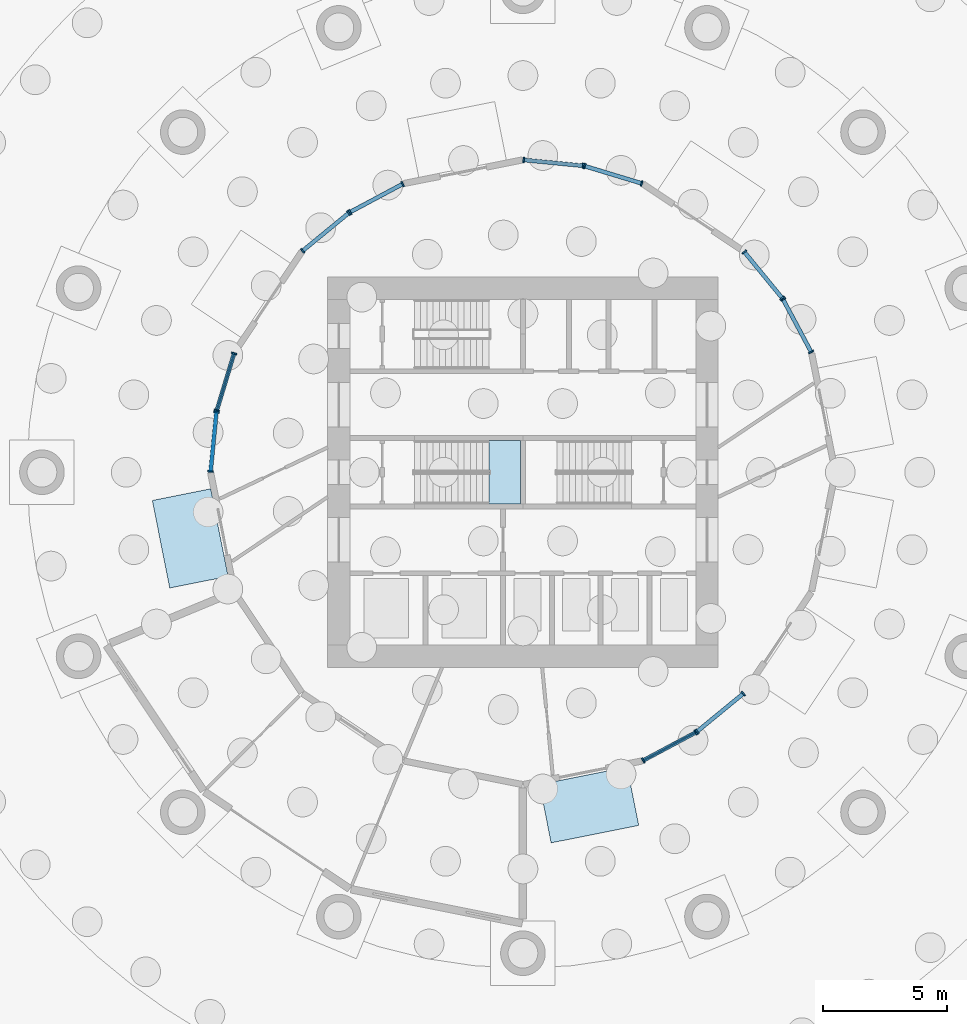
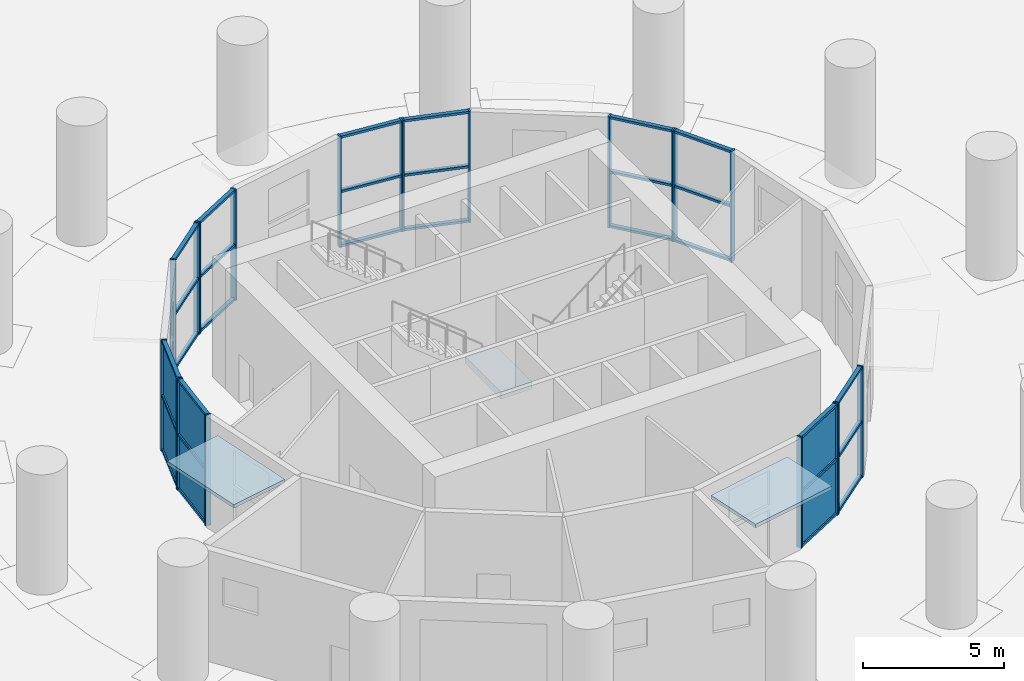
# One storey, part 3 of 10: 50 members, 8 plates, 1 slab, 11 elements without a shape of their own.
"""IFC4 building model written with IfcOpenShell, lengths in metres."""

from ifc_helpers import new_model, si_unit, direction, frame, origin, origin_2d, place, context, subcontext, project, spatial, polyline, rectangle, outline, extrude, material, layer, layer_set, material_profile, profile_set, type_object, element, aggregate, save


model = new_model("IFC4")

# Units and contexts
model_context = context("Model", 3, precision=1e-05, world=origin(), true_north=direction((0.0, 1.0)))
body_context = subcontext(model_context, "Body", "Model", "MODEL_VIEW")
ifc_project = project(units=[si_unit("LENGTHUNIT", "METRE"), si_unit("AREAUNIT", "SQUARE_METRE"), si_unit("VOLUMEUNIT", "CUBIC_METRE"), si_unit("PLANEANGLEUNIT", "RADIAN"), si_unit("MASSUNIT", "GRAM", prefix="KILO")], contexts=[model_context])

# Site, building, storey
site_placement = place(None, origin())
site = spatial("IfcSite", under=ifc_project, at=site_placement, CompositionType="ELEMENT")
building_placement = place(site_placement, origin())
building = spatial("IfcBuilding", under=site, at=building_placement, Name="Polderwave Tower", CompositionType="ELEMENT")
storey_placement = place(building_placement, origin())
storey = spatial("IfcBuildingStorey", under=building, at=storey_placement, Name="L00", CompositionType="ELEMENT", Elevation=0.0)

# Curtain wall, members
ifc_material_1 = material(Name="Aluminium 6063-T6 and glass", Category="aluminium")
curtain_wall_type = type_object("IfcCurtainWallType", Name="Entrance ring glazing wall", PredefinedType="NOTDEFINED", material=ifc_material_1)
curtain_wall_1_placement = place(storey_placement, origin())
curtain_wall_1 = element("IfcCurtainWall", 1, at=curtain_wall_1_placement, inside=storey, type_object=curtain_wall_type, Name="CW5 L00 01a", PredefinedType="NOTDEFINED")
ifc_material_2 = material(Name="Aluminium 6063-T6", Category="aluminium")
ifc_material_profile_1 = material_profile(ifc_material_2, rectangle(XDim=0.219970703125, YDim=0.06494140625, at=origin_2d()), Name="AL 65x220")
ifc_profile_set_1 = profile_set([ifc_material_profile_1], Name="Aluminium 6063-T6")
member_type_1 = type_object("IfcMemberType", Name="Entrance ring glazing mullion 65x220", PredefinedType="MULLION", material=ifc_profile_set_1)
member_1_placement = place(storey_placement, frame((11.625732421875, 4.8505859375, 0.0), z_axis=(0.0, 0.0, 1.0), x_axis=(-0.881949236041, -0.471344401735, 0.0)))
member_1 = element("IfcMember", 2, at=member_1_placement, type_object=member_type_1, Name="CW5 mullion 1", PredefinedType="MULLION", context=body_context, shape_type="SweptSolid", body=[
    extrude(rectangle(XDim=0.219970703125, YDim=0.06494140625, at=origin_2d()), origin(), (0.0, 0.0, 1.0), 4.800048828125),
])
member_2_placement = place(storey_placement, frame((10.4921875, 6.97119140625, 0.0), z_axis=(0.0, 0.0, 1.0), x_axis=(-0.881949236041, -0.471344401735, 0.0)))
member_2 = element("IfcMember", 3, at=member_2_placement, type_object=member_type_1, Name="CW5 mullion 2", PredefinedType="MULLION", context=body_context, shape_type="SweptSolid", body=[
    extrude(rectangle(XDim=0.219970703125, YDim=0.06494140625, at=origin_2d()), origin(), (0.0, 0.0, 1.0), 4.800048828125),
])

curtain_wall_2_placement = place(storey_placement, origin())
curtain_wall_2 = element("IfcCurtainWall", 4, at=curtain_wall_2_placement, inside=storey, type_object=curtain_wall_type, Name="CW5 L00 01b", PredefinedType="NOTDEFINED")
member_3_placement = place(storey_placement, frame((10.456298828125, 7.025146484375, 0.0), z_axis=(0.0, 0.0, 1.0), x_axis=(-0.773108987075, -0.63427320147, 0.0)))
member_3 = element("IfcMember", 5, at=member_3_placement, type_object=member_type_1, Name="CW5 mullion 1", PredefinedType="MULLION", context=body_context, shape_type="SweptSolid", body=[
    extrude(rectangle(XDim=0.219970703125, YDim=0.06494140625, at=origin_2d()), origin(), (0.0, 0.0, 1.0), 4.800048828125),
])
member_4_placement = place(storey_placement, frame((8.9306640625, 8.885009765625, 0.0), z_axis=(0.0, 0.0, 1.0), x_axis=(-0.773108987075, -0.63427320147, 0.0)))
member_4 = element("IfcMember", 6, at=member_4_placement, type_object=member_type_1, Name="CW5 mullion 2", PredefinedType="MULLION", context=body_context, shape_type="SweptSolid", body=[
    extrude(rectangle(XDim=0.219970703125, YDim=0.06494140625, at=origin_2d()), origin(), (0.0, 0.0, 1.0), 4.800048828125),
])

curtain_wall_3_placement = place(storey_placement, origin())
curtain_wall_3 = element("IfcCurtainWall", 7, at=curtain_wall_3_placement, inside=storey, type_object=curtain_wall_type, Name="CW5 L00 03a", PredefinedType="NOTDEFINED")
member_5_placement = place(storey_placement, frame((4.791015625, 11.650390625, 0.0), z_axis=(0.0, 0.0, 1.0), x_axis=(-0.290242922579, -0.95695300088, 0.0)))
member_5 = element("IfcMember", 8, at=member_5_placement, type_object=member_type_1, Name="CW5 mullion 1", PredefinedType="MULLION", context=body_context, shape_type="SweptSolid", body=[
    extrude(rectangle(XDim=0.219970703125, YDim=0.06494140625, at=origin_2d()), origin(), (0.0, 0.0, 1.0), 4.800048828125),
])
member_6_placement = place(storey_placement, frame((2.489013671875, 12.3486328125, 0.0), z_axis=(0.0, 0.0, 1.0), x_axis=(-0.290242922579, -0.95695300088, 0.0)))
member_6 = element("IfcMember", 9, at=member_6_placement, type_object=member_type_1, Name="CW5 mullion 2", PredefinedType="MULLION", context=body_context, shape_type="SweptSolid", body=[
    extrude(rectangle(XDim=0.219970703125, YDim=0.06494140625, at=origin_2d()), origin(), (0.0, 0.0, 1.0), 4.800048828125),
])

curtain_wall_4_placement = place(storey_placement, origin())
curtain_wall_4 = element("IfcCurtainWall", 10, at=curtain_wall_4_placement, inside=storey, type_object=curtain_wall_type, Name="CW5 L00 03b", PredefinedType="NOTDEFINED")
member_7_placement = place(storey_placement, frame((2.42578125, 12.361083984375, 0.0), z_axis=(0.0, 0.0, 1.0), x_axis=(-0.097980664838, -0.99518831852, 0.0)))
member_7 = element("IfcMember", 11, at=member_7_placement, type_object=member_type_1, Name="CW5 mullion 1", PredefinedType="MULLION", context=body_context, shape_type="SweptSolid", body=[
    extrude(rectangle(XDim=0.219970703125, YDim=0.06494140625, at=origin_2d()), origin(), (0.0, 0.0, 1.0), 4.800048828125),
])
member_8_placement = place(storey_placement, frame((0.0322265625, 12.5966796875, 0.0), z_axis=(0.0, 0.0, 1.0), x_axis=(-0.097980664838, -0.99518831852, 0.0)))
member_8 = element("IfcMember", 12, at=member_8_placement, type_object=member_type_1, Name="CW5 mullion 2", PredefinedType="MULLION", context=body_context, shape_type="SweptSolid", body=[
    extrude(rectangle(XDim=0.219970703125, YDim=0.06494140625, at=origin_2d()), origin(), (0.0, 0.0, 1.0), 4.800048828125),
])

curtain_wall_5_placement = place(storey_placement, origin())
curtain_wall_5 = element("IfcCurtainWall", 13, at=curtain_wall_5_placement, inside=storey, type_object=curtain_wall_type, Name="CW5 L00 05a", PredefinedType="NOTDEFINED")
member_9_placement = place(storey_placement, frame((-4.8505859375, 11.625732421875, 0.0), z_axis=(0.0, 0.0, 1.0), x_axis=(0.471344401735, -0.881949236041, 0.0)))
member_9 = element("IfcMember", 14, at=member_9_placement, type_object=member_type_1, Name="CW5 mullion 1", PredefinedType="MULLION", context=body_context, shape_type="SweptSolid", body=[
    extrude(rectangle(XDim=0.219970703125, YDim=0.06494140625, at=origin_2d()), origin(), (0.0, 0.0, 1.0), 4.800048828125),
])
member_10_placement = place(storey_placement, frame((-6.97119140625, 10.4921875, 0.0), z_axis=(0.0, 0.0, 1.0), x_axis=(0.471344401735, -0.881949236041, 0.0)))
member_10 = element("IfcMember", 15, at=member_10_placement, type_object=member_type_1, Name="CW5 mullion 2", PredefinedType="MULLION", context=body_context, shape_type="SweptSolid", body=[
    extrude(rectangle(XDim=0.219970703125, YDim=0.06494140625, at=origin_2d()), origin(), (0.0, 0.0, 1.0), 4.800048828125),
])

curtain_wall_6_placement = place(storey_placement, origin())
curtain_wall_6 = element("IfcCurtainWall", 16, at=curtain_wall_6_placement, inside=storey, type_object=curtain_wall_type, Name="CW5 L00 05b", PredefinedType="NOTDEFINED")
member_11_placement = place(storey_placement, frame((-7.025146484375, 10.456298828125, 0.0), z_axis=(0.0, 0.0, 1.0), x_axis=(0.63427320147, -0.773108987075, 0.0)))
member_11 = element("IfcMember", 17, at=member_11_placement, type_object=member_type_1, Name="CW5 mullion 1", PredefinedType="MULLION", context=body_context, shape_type="SweptSolid", body=[
    extrude(rectangle(XDim=0.219970703125, YDim=0.06494140625, at=origin_2d()), origin(), (0.0, 0.0, 1.0), 4.800048828125),
])
member_12_placement = place(storey_placement, frame((-8.885009765625, 8.9306640625, 0.0), z_axis=(0.0, 0.0, 1.0), x_axis=(0.63427320147, -0.773108987075, 0.0)))
member_12 = element("IfcMember", 18, at=member_12_placement, type_object=member_type_1, Name="CW5 mullion 2", PredefinedType="MULLION", context=body_context, shape_type="SweptSolid", body=[
    extrude(rectangle(XDim=0.219970703125, YDim=0.06494140625, at=origin_2d()), origin(), (0.0, 0.0, 1.0), 4.800048828125),
])

curtain_wall_7_placement = place(storey_placement, origin())
curtain_wall_7 = element("IfcCurtainWall", 19, at=curtain_wall_7_placement, inside=storey, type_object=curtain_wall_type, Name="CW5 L00 07a", PredefinedType="NOTDEFINED")
member_13_placement = place(storey_placement, frame((-11.650390625, 4.791015625, 0.0), z_axis=(0.0, 0.0, 1.0), x_axis=(0.95695300088, -0.290242922579, 0.0)))
member_13 = element("IfcMember", 20, at=member_13_placement, type_object=member_type_1, Name="CW5 mullion 1", PredefinedType="MULLION", context=body_context, shape_type="SweptSolid", body=[
    extrude(rectangle(XDim=0.219970703125, YDim=0.06494140625, at=origin_2d()), origin(), (0.0, 0.0, 1.0), 4.800048828125),
])
member_14_placement = place(storey_placement, frame((-12.3486328125, 2.489013671875, 0.0), z_axis=(0.0, 0.0, 1.0), x_axis=(0.95695300088, -0.290242922579, 0.0)))
member_14 = element("IfcMember", 21, at=member_14_placement, type_object=member_type_1, Name="CW5 mullion 2", PredefinedType="MULLION", context=body_context, shape_type="SweptSolid", body=[
    extrude(rectangle(XDim=0.219970703125, YDim=0.06494140625, at=origin_2d()), origin(), (0.0, 0.0, 1.0), 4.800048828125),
])

curtain_wall_8_placement = place(storey_placement, origin())
curtain_wall_8 = element("IfcCurtainWall", 22, at=curtain_wall_8_placement, inside=storey, type_object=curtain_wall_type, Name="CW5 L00 07b", PredefinedType="NOTDEFINED")
member_15_placement = place(storey_placement, frame((-12.361083984375, 2.42578125, 0.0), z_axis=(0.0, 0.0, 1.0), x_axis=(0.99518831852, -0.097980664838, 0.0)))
member_15 = element("IfcMember", 23, at=member_15_placement, type_object=member_type_1, Name="CW5 mullion 1", PredefinedType="MULLION", context=body_context, shape_type="SweptSolid", body=[
    extrude(rectangle(XDim=0.219970703125, YDim=0.06494140625, at=origin_2d()), origin(), (0.0, 0.0, 1.0), 4.800048828125),
])
member_16_placement = place(storey_placement, frame((-12.5966796875, 0.0322265625, 0.0), z_axis=(0.0, 0.0, 1.0), x_axis=(0.99518831852, -0.097980664838, 0.0)))
member_16 = element("IfcMember", 24, at=member_16_placement, type_object=member_type_1, Name="CW5 mullion 2", PredefinedType="MULLION", context=body_context, shape_type="SweptSolid", body=[
    extrude(rectangle(XDim=0.219970703125, YDim=0.06494140625, at=origin_2d()), origin(), (0.0, 0.0, 1.0), 4.800048828125),
])

curtain_wall_9_placement = place(storey_placement, origin())
curtain_wall_9 = element("IfcCurtainWall", 25, at=curtain_wall_9_placement, inside=storey, type_object=curtain_wall_type, Name="CW5 L00 13a", PredefinedType="NOTDEFINED")
member_17_placement = place(storey_placement, frame((4.8505859375, -11.625732421875, 0.0), z_axis=(0.0, 0.0, 1.0), x_axis=(-0.471344401735, 0.881949236041, 0.0)))
member_17 = element("IfcMember", 26, at=member_17_placement, type_object=member_type_1, Name="CW5 mullion 1", PredefinedType="MULLION", context=body_context, shape_type="SweptSolid", body=[
    extrude(rectangle(XDim=0.219970703125, YDim=0.06494140625, at=origin_2d()), origin(), (0.0, 0.0, 1.0), 4.800048828125),
])
member_18_placement = place(storey_placement, frame((6.97119140625, -10.4921875, 0.0), z_axis=(0.0, 0.0, 1.0), x_axis=(-0.471344401735, 0.881949236041, 0.0)))
member_18 = element("IfcMember", 27, at=member_18_placement, type_object=member_type_1, Name="CW5 mullion 2", PredefinedType="MULLION", context=body_context, shape_type="SweptSolid", body=[
    extrude(rectangle(XDim=0.219970703125, YDim=0.06494140625, at=origin_2d()), origin(), (0.0, 0.0, 1.0), 4.800048828125),
])

curtain_wall_10_placement = place(storey_placement, origin())
curtain_wall_10 = element("IfcCurtainWall", 28, at=curtain_wall_10_placement, inside=storey, type_object=curtain_wall_type, Name="CW5 L00 13b", PredefinedType="NOTDEFINED")
member_19_placement = place(storey_placement, frame((7.025146484375, -10.456298828125, 0.0), z_axis=(0.0, 0.0, 1.0), x_axis=(-0.63427320147, 0.773108987075, 0.0)))
member_19 = element("IfcMember", 29, at=member_19_placement, type_object=member_type_1, Name="CW5 mullion 1", PredefinedType="MULLION", context=body_context, shape_type="SweptSolid", body=[
    extrude(rectangle(XDim=0.219970703125, YDim=0.06494140625, at=origin_2d()), origin(), (0.0, 0.0, 1.0), 4.800048828125),
])
member_20_placement = place(storey_placement, frame((8.885009765625, -8.9306640625, 0.0), z_axis=(0.0, 0.0, 1.0), x_axis=(-0.63427320147, 0.773108987075, 0.0)))
member_20 = element("IfcMember", 30, at=member_20_placement, type_object=member_type_1, Name="CW5 mullion 2", PredefinedType="MULLION", context=body_context, shape_type="SweptSolid", body=[
    extrude(rectangle(XDim=0.219970703125, YDim=0.06494140625, at=origin_2d()), origin(), (0.0, 0.0, 1.0), 4.800048828125),
])

# Member
ifc_material_profile_2 = material_profile(ifc_material_2, rectangle(XDim=0.159912109375, YDim=0.10009765625, at=origin_2d()), Name="AL 100x160")
ifc_profile_set_2 = profile_set([ifc_material_profile_2], Name="Aluminium 6063-T6")
member_type_2 = type_object("IfcMemberType", Name="Entrance ring glazing transom 100x160", PredefinedType="USERDEFINED", material=ifc_profile_set_2)
member_21_placement = place(storey_placement, frame((11.6103515625, 4.87939453125, 0.050048828125), z_axis=(-0.471384268575, 0.881927928654, 0.0), x_axis=(-0.881927928654, -0.471384268575, 0.0)))
member_21 = element("IfcMember", 31, at=member_21_placement, type_object=member_type_2, Name="CW5 transom 1", ObjectType="TRANSOM", PredefinedType="USERDEFINED", context=body_context, shape_type="SweptSolid", body=[
    extrude(rectangle(XDim=0.159912109375, YDim=0.10009765625, at=origin_2d()), origin(), (0.0, 0.0, 1.0), 2.33935546875),
])

member_22_placement = place(storey_placement, frame((11.6103515625, 4.87939453125, 2.39990234375), z_axis=(-0.471384268575, 0.881927928654, 0.0), x_axis=(-0.881927928654, -0.471384268575, 0.0)))
member_22 = element("IfcMember", 32, at=member_22_placement, type_object=member_type_2, Name="CW5 transom 2", ObjectType="TRANSOM", PredefinedType="USERDEFINED", context=body_context, shape_type="SweptSolid", body=[
    extrude(rectangle(XDim=0.159912109375, YDim=0.10009765625, at=origin_2d()), origin(), (0.0, 0.0, 1.0), 2.33935546875),
])

member_23_placement = place(storey_placement, frame((11.6103515625, 4.87939453125, 4.75), z_axis=(-0.471384268575, 0.881927928654, 0.0), x_axis=(-0.881927928654, -0.471384268575, 0.0)))
member_23 = element("IfcMember", 33, at=member_23_placement, type_object=member_type_2, Name="CW5 transom 3", ObjectType="TRANSOM", PredefinedType="USERDEFINED", context=body_context, shape_type="SweptSolid", body=[
    extrude(rectangle(XDim=0.159912109375, YDim=0.10009765625, at=origin_2d()), origin(), (0.0, 0.0, 1.0), 2.33935546875),
])

aggregate(curtain_wall_1, [member_1, member_2, member_21, member_22, member_23])

member_24_placement = place(storey_placement, frame((10.435791015625, 7.05029296875, 0.050048828125), z_axis=(-0.634327801187, 0.773064189212, 0.0), x_axis=(-0.773064189212, -0.634327801187, 0.0)))
member_24 = element("IfcMember", 34, at=member_24_placement, type_object=member_type_2, Name="CW5 transom 1", ObjectType="TRANSOM", PredefinedType="USERDEFINED", context=body_context, shape_type="SweptSolid", body=[
    extrude(rectangle(XDim=0.159912109375, YDim=0.10009765625, at=origin_2d()), origin(), (0.0, 0.0, 1.0), 2.340576171875),
])

member_25_placement = place(storey_placement, frame((10.435791015625, 7.05029296875, 2.39990234375), z_axis=(-0.634327801187, 0.773064189212, 0.0), x_axis=(-0.773064189212, -0.634327801187, 0.0)))
member_25 = element("IfcMember", 35, at=member_25_placement, type_object=member_type_2, Name="CW5 transom 2", ObjectType="TRANSOM", PredefinedType="USERDEFINED", context=body_context, shape_type="SweptSolid", body=[
    extrude(rectangle(XDim=0.159912109375, YDim=0.10009765625, at=origin_2d()), origin(), (0.0, 0.0, 1.0), 2.340576171875),
])

member_26_placement = place(storey_placement, frame((10.435791015625, 7.05029296875, 4.75), z_axis=(-0.634327801187, 0.773064189212, 0.0), x_axis=(-0.773064189212, -0.634327801187, 0.0)))
member_26 = element("IfcMember", 36, at=member_26_placement, type_object=member_type_2, Name="CW5 transom 3", ObjectType="TRANSOM", PredefinedType="USERDEFINED", context=body_context, shape_type="SweptSolid", body=[
    extrude(rectangle(XDim=0.159912109375, YDim=0.10009765625, at=origin_2d()), origin(), (0.0, 0.0, 1.0), 2.340576171875),
])

aggregate(curtain_wall_2, [member_3, member_4, member_24, member_25, member_26])

member_27_placement = place(storey_placement, frame((4.759765625, 11.659912109375, 0.050048828125), z_axis=(-0.956957696449, 0.29022744048, 0.0), x_axis=(-0.29022744048, -0.956957696449, 0.0)))
member_27 = element("IfcMember", 37, at=member_27_placement, type_object=member_type_2, Name="CW5 transom 1", ObjectType="TRANSOM", PredefinedType="USERDEFINED", context=body_context, shape_type="SweptSolid", body=[
    extrude(rectangle(XDim=0.159912109375, YDim=0.10009765625, at=origin_2d()), origin(), (0.0, 0.0, 1.0), 2.34033203125),
])

member_28_placement = place(storey_placement, frame((4.759765625, 11.659912109375, 2.39990234375), z_axis=(-0.956957696449, 0.29022744048, 0.0), x_axis=(-0.29022744048, -0.956957696449, 0.0)))
member_28 = element("IfcMember", 38, at=member_28_placement, type_object=member_type_2, Name="CW5 transom 2", ObjectType="TRANSOM", PredefinedType="USERDEFINED", context=body_context, shape_type="SweptSolid", body=[
    extrude(rectangle(XDim=0.159912109375, YDim=0.10009765625, at=origin_2d()), origin(), (0.0, 0.0, 1.0), 2.34033203125),
])

member_29_placement = place(storey_placement, frame((4.759765625, 11.659912109375, 4.75), z_axis=(-0.956957696449, 0.29022744048, 0.0), x_axis=(-0.29022744048, -0.956957696449, 0.0)))
member_29 = element("IfcMember", 39, at=member_29_placement, type_object=member_type_2, Name="CW5 transom 3", ObjectType="TRANSOM", PredefinedType="USERDEFINED", context=body_context, shape_type="SweptSolid", body=[
    extrude(rectangle(XDim=0.159912109375, YDim=0.10009765625, at=origin_2d()), origin(), (0.0, 0.0, 1.0), 2.34033203125),
])

aggregate(curtain_wall_3, [member_5, member_6, member_27, member_28, member_29])

member_30_placement = place(storey_placement, frame((2.393310546875, 12.364501953125, 0.050048828125), z_axis=(-0.995199077067, 0.09787132882, 0.0), x_axis=(-0.09787132882, -0.995199077067, 0.0)))
member_30 = element("IfcMember", 40, at=member_30_placement, type_object=member_type_2, Name="CW5 transom 1", ObjectType="TRANSOM", PredefinedType="USERDEFINED", context=body_context, shape_type="SweptSolid", body=[
    extrude(rectangle(XDim=0.159912109375, YDim=0.10009765625, at=origin_2d()), origin(), (0.0, 0.0, 1.0), 2.33984375),
])

member_31_placement = place(storey_placement, frame((2.393310546875, 12.364501953125, 2.39990234375), z_axis=(-0.995199077067, 0.09787132882, 0.0), x_axis=(-0.09787132882, -0.995199077067, 0.0)))
member_31 = element("IfcMember", 41, at=member_31_placement, type_object=member_type_2, Name="CW5 transom 2", ObjectType="TRANSOM", PredefinedType="USERDEFINED", context=body_context, shape_type="SweptSolid", body=[
    extrude(rectangle(XDim=0.159912109375, YDim=0.10009765625, at=origin_2d()), origin(), (0.0, 0.0, 1.0), 2.33984375),
])

member_32_placement = place(storey_placement, frame((2.393310546875, 12.364501953125, 4.75), z_axis=(-0.995199077067, 0.09787132882, 0.0), x_axis=(-0.09787132882, -0.995199077067, 0.0)))
member_32 = element("IfcMember", 42, at=member_32_placement, type_object=member_type_2, Name="CW5 transom 3", ObjectType="TRANSOM", PredefinedType="USERDEFINED", context=body_context, shape_type="SweptSolid", body=[
    extrude(rectangle(XDim=0.159912109375, YDim=0.10009765625, at=origin_2d()), origin(), (0.0, 0.0, 1.0), 2.33984375),
])

aggregate(curtain_wall_4, [member_7, member_8, member_30, member_31, member_32])

member_33_placement = place(storey_placement, frame((-4.87939453125, 11.6103515625, 0.050048828125), z_axis=(-0.881927928654, -0.471384268575, 0.0), x_axis=(0.471384268575, -0.881927928654, 0.0)))
member_33 = element("IfcMember", 43, at=member_33_placement, type_object=member_type_2, Name="CW5 transom 1", ObjectType="TRANSOM", PredefinedType="USERDEFINED", context=body_context, shape_type="SweptSolid", body=[
    extrude(rectangle(XDim=0.159912109375, YDim=0.10009765625, at=origin_2d()), origin(), (0.0, 0.0, 1.0), 2.33935546875),
])

member_34_placement = place(storey_placement, frame((-4.87939453125, 11.6103515625, 2.39990234375), z_axis=(-0.881927928654, -0.471384268575, 0.0), x_axis=(0.471384268575, -0.881927928654, 0.0)))
member_34 = element("IfcMember", 44, at=member_34_placement, type_object=member_type_2, Name="CW5 transom 2", ObjectType="TRANSOM", PredefinedType="USERDEFINED", context=body_context, shape_type="SweptSolid", body=[
    extrude(rectangle(XDim=0.159912109375, YDim=0.10009765625, at=origin_2d()), origin(), (0.0, 0.0, 1.0), 2.33935546875),
])

member_35_placement = place(storey_placement, frame((-4.87939453125, 11.6103515625, 4.75), z_axis=(-0.881927928654, -0.471384268575, 0.0), x_axis=(0.471384268575, -0.881927928654, 0.0)))
member_35 = element("IfcMember", 45, at=member_35_placement, type_object=member_type_2, Name="CW5 transom 3", ObjectType="TRANSOM", PredefinedType="USERDEFINED", context=body_context, shape_type="SweptSolid", body=[
    extrude(rectangle(XDim=0.159912109375, YDim=0.10009765625, at=origin_2d()), origin(), (0.0, 0.0, 1.0), 2.33935546875),
])

aggregate(curtain_wall_5, [member_9, member_10, member_33, member_34, member_35])

member_36_placement = place(storey_placement, frame((-7.05029296875, 10.435791015625, 0.050048828125), z_axis=(-0.773064189212, -0.634327801187, 0.0), x_axis=(0.634327801187, -0.773064189212, 0.0)))
member_36 = element("IfcMember", 46, at=member_36_placement, type_object=member_type_2, Name="CW5 transom 1", ObjectType="TRANSOM", PredefinedType="USERDEFINED", context=body_context, shape_type="SweptSolid", body=[
    extrude(rectangle(XDim=0.159912109375, YDim=0.10009765625, at=origin_2d()), origin(), (0.0, 0.0, 1.0), 2.340576171875),
])

member_37_placement = place(storey_placement, frame((-7.05029296875, 10.435791015625, 2.39990234375), z_axis=(-0.773064189212, -0.634327801187, 0.0), x_axis=(0.634327801187, -0.773064189212, 0.0)))
member_37 = element("IfcMember", 47, at=member_37_placement, type_object=member_type_2, Name="CW5 transom 2", ObjectType="TRANSOM", PredefinedType="USERDEFINED", context=body_context, shape_type="SweptSolid", body=[
    extrude(rectangle(XDim=0.159912109375, YDim=0.10009765625, at=origin_2d()), origin(), (0.0, 0.0, 1.0), 2.340576171875),
])

member_38_placement = place(storey_placement, frame((-7.05029296875, 10.435791015625, 4.75), z_axis=(-0.773064189212, -0.634327801187, 0.0), x_axis=(0.634327801187, -0.773064189212, 0.0)))
member_38 = element("IfcMember", 48, at=member_38_placement, type_object=member_type_2, Name="CW5 transom 3", ObjectType="TRANSOM", PredefinedType="USERDEFINED", context=body_context, shape_type="SweptSolid", body=[
    extrude(rectangle(XDim=0.159912109375, YDim=0.10009765625, at=origin_2d()), origin(), (0.0, 0.0, 1.0), 2.340576171875),
])

aggregate(curtain_wall_6, [member_11, member_12, member_36, member_37, member_38])

member_39_placement = place(storey_placement, frame((-11.659912109375, 4.759765625, 0.050048828125), z_axis=(-0.29022744048, -0.956957696449, 0.0), x_axis=(0.956957696449, -0.29022744048, 0.0)))
member_39 = element("IfcMember", 49, at=member_39_placement, type_object=member_type_2, Name="CW5 transom 1", ObjectType="TRANSOM", PredefinedType="USERDEFINED", context=body_context, shape_type="SweptSolid", body=[
    extrude(rectangle(XDim=0.159912109375, YDim=0.10009765625, at=origin_2d()), origin(), (0.0, 0.0, 1.0), 2.34033203125),
])

member_40_placement = place(storey_placement, frame((-11.659912109375, 4.759765625, 2.39990234375), z_axis=(-0.29022744048, -0.956957696449, 0.0), x_axis=(0.956957696449, -0.29022744048, 0.0)))
member_40 = element("IfcMember", 50, at=member_40_placement, type_object=member_type_2, Name="CW5 transom 2", ObjectType="TRANSOM", PredefinedType="USERDEFINED", context=body_context, shape_type="SweptSolid", body=[
    extrude(rectangle(XDim=0.159912109375, YDim=0.10009765625, at=origin_2d()), origin(), (0.0, 0.0, 1.0), 2.34033203125),
])

member_41_placement = place(storey_placement, frame((-11.659912109375, 4.759765625, 4.75), z_axis=(-0.29022744048, -0.956957696449, 0.0), x_axis=(0.956957696449, -0.29022744048, 0.0)))
member_41 = element("IfcMember", 51, at=member_41_placement, type_object=member_type_2, Name="CW5 transom 3", ObjectType="TRANSOM", PredefinedType="USERDEFINED", context=body_context, shape_type="SweptSolid", body=[
    extrude(rectangle(XDim=0.159912109375, YDim=0.10009765625, at=origin_2d()), origin(), (0.0, 0.0, 1.0), 2.34033203125),
])

member_42_placement = place(storey_placement, frame((-12.364501953125, 2.393310546875, 0.050048828125), z_axis=(-0.09787132882, -0.995199077067, 0.0), x_axis=(0.995199077067, -0.09787132882, 0.0)))
member_42 = element("IfcMember", 52, at=member_42_placement, type_object=member_type_2, Name="CW5 transom 1", ObjectType="TRANSOM", PredefinedType="USERDEFINED", context=body_context, shape_type="SweptSolid", body=[
    extrude(rectangle(XDim=0.159912109375, YDim=0.10009765625, at=origin_2d()), origin(), (0.0, 0.0, 1.0), 2.33984375),
])

member_43_placement = place(storey_placement, frame((-12.364501953125, 2.393310546875, 2.39990234375), z_axis=(-0.09787132882, -0.995199077067, 0.0), x_axis=(0.995199077067, -0.09787132882, 0.0)))
member_43 = element("IfcMember", 53, at=member_43_placement, type_object=member_type_2, Name="CW5 transom 2", ObjectType="TRANSOM", PredefinedType="USERDEFINED", context=body_context, shape_type="SweptSolid", body=[
    extrude(rectangle(XDim=0.159912109375, YDim=0.10009765625, at=origin_2d()), origin(), (0.0, 0.0, 1.0), 2.33984375),
])

member_44_placement = place(storey_placement, frame((-12.364501953125, 2.393310546875, 4.75), z_axis=(-0.09787132882, -0.995199077067, 0.0), x_axis=(0.995199077067, -0.09787132882, 0.0)))
member_44 = element("IfcMember", 54, at=member_44_placement, type_object=member_type_2, Name="CW5 transom 3", ObjectType="TRANSOM", PredefinedType="USERDEFINED", context=body_context, shape_type="SweptSolid", body=[
    extrude(rectangle(XDim=0.159912109375, YDim=0.10009765625, at=origin_2d()), origin(), (0.0, 0.0, 1.0), 2.33984375),
])

member_45_placement = place(storey_placement, frame((4.87939453125, -11.6103515625, 0.050048828125), z_axis=(0.881927928654, 0.471384268575, 0.0), x_axis=(-0.471384268575, 0.881927928654, 0.0)))
member_45 = element("IfcMember", 55, at=member_45_placement, type_object=member_type_2, Name="CW5 transom 1", ObjectType="TRANSOM", PredefinedType="USERDEFINED", context=body_context, shape_type="SweptSolid", body=[
    extrude(rectangle(XDim=0.159912109375, YDim=0.10009765625, at=origin_2d()), origin(), (0.0, 0.0, 1.0), 2.33935546875),
])

member_46_placement = place(storey_placement, frame((4.87939453125, -11.6103515625, 2.39990234375), z_axis=(0.881927928654, 0.471384268575, 0.0), x_axis=(-0.471384268575, 0.881927928654, 0.0)))
member_46 = element("IfcMember", 56, at=member_46_placement, type_object=member_type_2, Name="CW5 transom 2", ObjectType="TRANSOM", PredefinedType="USERDEFINED", context=body_context, shape_type="SweptSolid", body=[
    extrude(rectangle(XDim=0.159912109375, YDim=0.10009765625, at=origin_2d()), origin(), (0.0, 0.0, 1.0), 2.33935546875),
])

member_47_placement = place(storey_placement, frame((4.87939453125, -11.6103515625, 4.75), z_axis=(0.881927928654, 0.471384268575, 0.0), x_axis=(-0.471384268575, 0.881927928654, 0.0)))
member_47 = element("IfcMember", 57, at=member_47_placement, type_object=member_type_2, Name="CW5 transom 3", ObjectType="TRANSOM", PredefinedType="USERDEFINED", context=body_context, shape_type="SweptSolid", body=[
    extrude(rectangle(XDim=0.159912109375, YDim=0.10009765625, at=origin_2d()), origin(), (0.0, 0.0, 1.0), 2.33935546875),
])

member_48_placement = place(storey_placement, frame((7.05029296875, -10.435791015625, 0.050048828125), z_axis=(0.773064189212, 0.634327801187, 0.0), x_axis=(-0.634327801187, 0.773064189212, 0.0)))
member_48 = element("IfcMember", 58, at=member_48_placement, type_object=member_type_2, Name="CW5 transom 1", ObjectType="TRANSOM", PredefinedType="USERDEFINED", context=body_context, shape_type="SweptSolid", body=[
    extrude(rectangle(XDim=0.159912109375, YDim=0.10009765625, at=origin_2d()), origin(), (0.0, 0.0, 1.0), 2.340576171875),
])

member_49_placement = place(storey_placement, frame((7.05029296875, -10.435791015625, 2.39990234375), z_axis=(0.773064189212, 0.634327801187, 0.0), x_axis=(-0.634327801187, 0.773064189212, 0.0)))
member_49 = element("IfcMember", 59, at=member_49_placement, type_object=member_type_2, Name="CW5 transom 2", ObjectType="TRANSOM", PredefinedType="USERDEFINED", context=body_context, shape_type="SweptSolid", body=[
    extrude(rectangle(XDim=0.159912109375, YDim=0.10009765625, at=origin_2d()), origin(), (0.0, 0.0, 1.0), 2.340576171875),
])

member_50_placement = place(storey_placement, frame((7.05029296875, -10.435791015625, 4.75), z_axis=(0.773064189212, 0.634327801187, 0.0), x_axis=(-0.634327801187, 0.773064189212, 0.0)))
member_50 = element("IfcMember", 60, at=member_50_placement, type_object=member_type_2, Name="CW5 transom 3", ObjectType="TRANSOM", PredefinedType="USERDEFINED", context=body_context, shape_type="SweptSolid", body=[
    extrude(rectangle(XDim=0.159912109375, YDim=0.10009765625, at=origin_2d()), origin(), (0.0, 0.0, 1.0), 2.340576171875),
])

aggregate(curtain_wall_10, [member_19, member_20, member_48, member_49, member_50])

# Plates
ifc_material_3 = material(Name="Stainless steel 316", Category="steel")
ifc_layer_1 = layer(ifc_material_3, 0.14990234375)
ifc_layer_set_1 = layer_set([ifc_layer_1], Name="Entrance canopy")
plate_type_1 = type_object("IfcPlateType", Name="Entrance canopy", PredefinedType="USERDEFINED", material=ifc_layer_set_1)
for number, where, z_axis, x_axis, name in (
    (61, (-13.419921875, -2.66943359375, 4.150146484375), (0.0, 0.0, 1.0), (0.195090322016, -0.980785280403, 0.0), "Entrance canopy E5"),
    (62, (2.66943359375, -13.419921875, 4.150146484375), (0.0, 0.0, 1.0), (0.980785280403, 0.195090322016, 0.0), "Entrance canopy E6"),
):
    element("IfcPlate", number, at=place(storey_placement, frame(where, z_axis=z_axis, x_axis=x_axis)), inside=storey, type_object=plate_type_1, Name=name, ObjectType="CANOPY", PredefinedType="USERDEFINED", context=body_context, shape_type="SweptSolid", body=[
        extrude(rectangle(XDim=3.60009765625, YDim=2.39990234375, at=origin_2d()), origin(), (0.0, 0.0, 1.0), 0.14990234375),
    ])

# Plate
ifc_material_4 = material(Name="Glass, low-e laminated double glazing", Category="glass")
ifc_layer_2 = layer(ifc_material_4, 0.0400390625)
ifc_layer_set_2 = layer_set([ifc_layer_2], Name="Entrance ring glazing glass panel 40 mm")
plate_type_2 = type_object("IfcPlateType", Name="Entrance ring glazing glass panel 40 mm", PredefinedType="CURTAIN_PANEL", material=ifc_layer_set_2)
plate_1_placement = place(storey_placement, frame((-11.99951171875, 3.639892578125, 0.10009765625), z_axis=(0.0, 0.0, 1.0), x_axis=(-0.290242922579, -0.95695300088, 0.0)))
plate_1 = element("IfcPlate", 63, at=plate_1_placement, type_object=plate_type_2, Name="CW5 panel 1", PredefinedType="CURTAIN_PANEL", context=body_context, shape_type="SweptSolid", body=[
    extrude(rectangle(XDim=2.34033203125, YDim=0.0400390625, at=origin_2d()), origin(), (0.0, 0.0, 1.0), 2.25),
])

plate_2_placement = place(storey_placement, frame((-11.99951171875, 3.639892578125, 2.449951171875), z_axis=(0.0, 0.0, 1.0), x_axis=(-0.290242922579, -0.95695300088, 0.0)))
plate_2 = element("IfcPlate", 64, at=plate_2_placement, type_object=plate_type_2, Name="CW5 panel 2", PredefinedType="CURTAIN_PANEL", context=body_context, shape_type="SweptSolid", body=[
    extrude(rectangle(XDim=2.34033203125, YDim=0.0400390625, at=origin_2d()), origin(), (0.0, 0.0, 1.0), 2.25),
])

aggregate(curtain_wall_7, [member_13, member_14, member_39, member_40, member_41, plate_1, plate_2])

plate_3_placement = place(storey_placement, frame((-12.47900390625, 1.22900390625, 0.10009765625), z_axis=(0.0, 0.0, 1.0), x_axis=(-0.097980664838, -0.99518831852, 0.0)))
plate_3 = element("IfcPlate", 65, at=plate_3_placement, type_object=plate_type_2, Name="CW5 panel 1", PredefinedType="CURTAIN_PANEL", context=body_context, shape_type="SweptSolid", body=[
    extrude(rectangle(XDim=2.33984375, YDim=0.0400390625, at=origin_2d()), origin(), (0.0, 0.0, 1.0), 2.25),
])

plate_4_placement = place(storey_placement, frame((-12.47900390625, 1.22900390625, 2.449951171875), z_axis=(0.0, 0.0, 1.0), x_axis=(-0.097980664838, -0.99518831852, 0.0)))
plate_4 = element("IfcPlate", 66, at=plate_4_placement, type_object=plate_type_2, Name="CW5 panel 2", PredefinedType="CURTAIN_PANEL", context=body_context, shape_type="SweptSolid", body=[
    extrude(rectangle(XDim=2.33984375, YDim=0.0400390625, at=origin_2d()), origin(), (0.0, 0.0, 1.0), 2.25),
])

aggregate(curtain_wall_8, [member_15, member_16, member_42, member_43, member_44, plate_3, plate_4])

plate_5_placement = place(storey_placement, frame((5.910888671875, -11.05908203125, 0.10009765625), z_axis=(0.0, 0.0, 1.0), x_axis=(0.881949236041, 0.471344401735, 0.0)))
plate_5 = element("IfcPlate", 67, at=plate_5_placement, type_object=plate_type_2, Name="CW5 panel 1", PredefinedType="CURTAIN_PANEL", context=body_context, shape_type="SweptSolid", body=[
    extrude(rectangle(XDim=2.339599609375, YDim=0.0400390625, at=origin_2d()), origin(), (0.0, 0.0, 1.0), 2.25),
])

plate_6_placement = place(storey_placement, frame((5.910888671875, -11.05908203125, 2.449951171875), z_axis=(0.0, 0.0, 1.0), x_axis=(0.881949236041, 0.471344401735, 0.0)))
plate_6 = element("IfcPlate", 68, at=plate_6_placement, type_object=plate_type_2, Name="CW5 panel 2", PredefinedType="CURTAIN_PANEL", context=body_context, shape_type="SweptSolid", body=[
    extrude(rectangle(XDim=2.339599609375, YDim=0.0400390625, at=origin_2d()), origin(), (0.0, 0.0, 1.0), 2.25),
])

aggregate(curtain_wall_9, [member_17, member_18, member_45, member_46, member_47, plate_5, plate_6])

# Stair, slab
ifc_material_5 = material(Name="Concrete C40/50", Category="concrete")
stair_type = type_object("IfcStairType", Name="Exit stair 1200 x 26 risers", PredefinedType="HALF_TURN_STAIR", material=ifc_material_5)
stair_placement = place(storey_placement, origin())
stair = element("IfcStair", 69, at=stair_placement, inside=storey, type_object=stair_type, Name="L00 Exit stair A", PredefinedType="HALF_TURN_STAIR")
ifc_layer_3 = layer(ifc_material_5, 0.300048828125)
ifc_layer_set_3 = layer_set([ifc_layer_3], Name="Stair landing 300")
slab_type = type_object("IfcSlabType", Name="Stair landing 300", PredefinedType="LANDING", material=ifc_layer_set_3)
slab_placement = place(storey_placement, frame((0.0, 0.0, 2.300048828125)))
slab = element("IfcSlab", 70, at=slab_placement, type_object=slab_type, Name="ST-A landing 1", PredefinedType="LANDING", context=body_context, shape_type="SweptSolid", body=[
    extrude(outline(polyline([(-1.3740234375, -1.27490234375), (-0.10009765625, -1.27490234375), (-0.10009765625, 1.27490234375), (-1.3740234375, 1.27490234375), (-1.3740234375, -1.27490234375)])), origin(), (0.0, 0.0, 1.0), 0.300048828125),
])
aggregate(stair, [slab])

save(model, "model.ifc")
